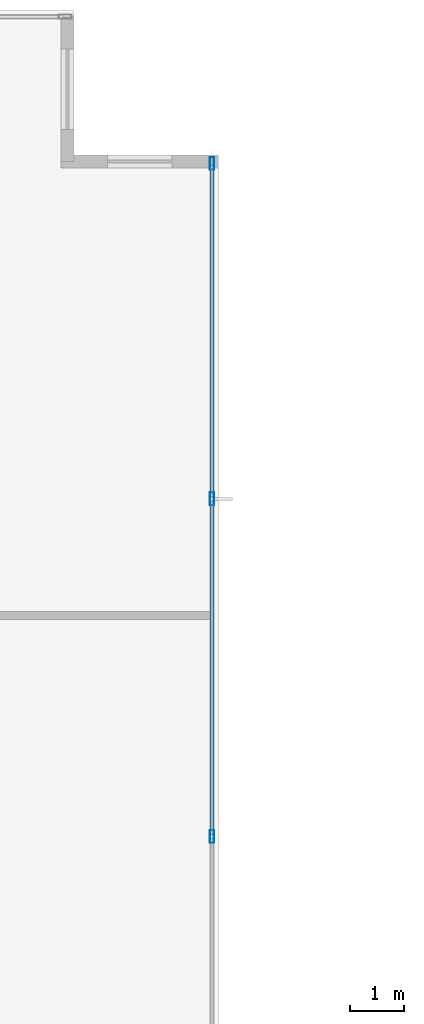
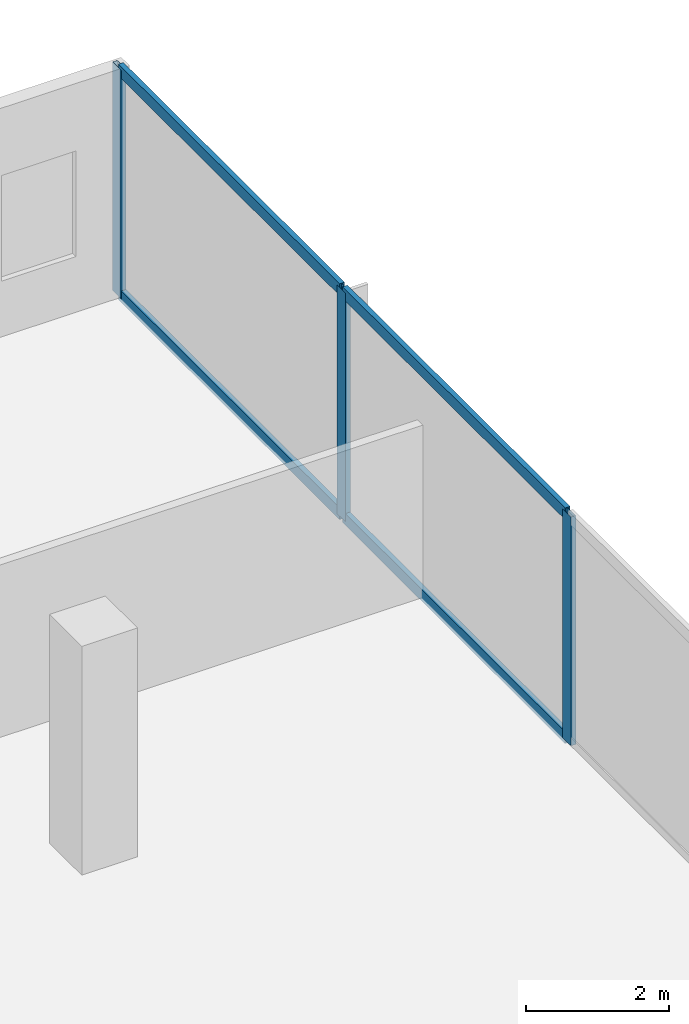
# One storey, part 14 of 31: 7 members, 1 element without a shape of its own.
"""IFC4 building model written with IfcOpenShell, lengths in metres."""

from ifc_helpers import new_model, si_unit, direction, frame, origin, origin_2d, place, context, subcontext, project, spatial, hollow_rectangle, extrude, material, material_profile, profile_set, type_object, element, aggregate, save


model = new_model("IFC4")

# Units and contexts
model_context = context("Model", 3, precision=1e-05, world=origin(), true_north=direction((0.0, 1.0)))
body_context = subcontext(model_context, "Body", "Model", "MODEL_VIEW")
ifc_project = project(units=[si_unit("LENGTHUNIT", "METRE"), si_unit("AREAUNIT", "SQUARE_METRE"), si_unit("VOLUMEUNIT", "CUBIC_METRE"), si_unit("PLANEANGLEUNIT", "RADIAN"), si_unit("MASSUNIT", "GRAM", prefix="KILO")], contexts=[model_context])

# Site, building, storey
site_placement = place(None, origin())
site = spatial("IfcSite", under=ifc_project, at=site_placement, CompositionType="ELEMENT")
building_placement = place(site_placement, origin())
building = spatial("IfcBuilding", under=site, at=building_placement, Name="Cobrela Telecom Tower", CompositionType="ELEMENT")
storey_placement = place(building_placement, frame((0.0, 0.0, 9.449951171875)))
storey = spatial("IfcBuildingStorey", under=building, at=storey_placement, Name="L02", CompositionType="ELEMENT", Elevation=9.449951171875)

# Curtain wall, members
ifc_material = material(Name="Anodized Bronze Aluminium 6063-T6", Category="aluminium")
curtain_wall_type = type_object("IfcCurtainWallType", Name="CW-SYS-CONC", PredefinedType="USERDEFINED", material=ifc_material)
curtain_wall_placement = place(storey_placement, origin())
curtain_wall = element("IfcCurtainWall", 1, at=curtain_wall_placement, inside=storey, type_object=curtain_wall_type, Name="L02 Unitised Bronze Curtain Wall 10", ObjectType="UNITISED CURTAIN WALL", PredefinedType="USERDEFINED")
ifc_material_profile_1 = material_profile(ifc_material, hollow_rectangle(XDim=0.080078125, YDim=0.239990234375, WallThickness=0.0048828125, at=origin_2d()), Name="ALU 80x240x5")
ifc_profile_set_1 = profile_set([ifc_material_profile_1], Name="Anodized Bronze Aluminium 6063-T6")
member_type_1 = type_object("IfcMemberType", Name="CW-SYS-CONC-MUL", PredefinedType="MULLION", material=ifc_profile_set_1)
member_1_placement = place(storey_placement, frame((50.280029296875, 47.5400390625, 0.0), z_axis=(0.0, 0.0, 1.0), x_axis=(1.0, 0.0, 0.0)))
member_1 = element("IfcMember", 2, at=member_1_placement, type_object=member_type_1, Name="CW-CONC mullion 1", PredefinedType="MULLION", context=body_context, shape_type="SweptSolid", body=[
    extrude(hollow_rectangle(XDim=0.080078125, YDim=0.239990234375, WallThickness=0.0048828125, at=origin_2d()), origin(), (0.0, 0.0, 1.0), 3.900146484375),
])
member_2_placement = place(storey_placement, frame((50.280029296875, 41.280029296875, 0.0), z_axis=(0.0, 0.0, 1.0), x_axis=(1.0, 0.0, 0.0)))
member_2 = element("IfcMember", 3, at=member_2_placement, type_object=member_type_1, Name="CW-CONC mullion 2", PredefinedType="MULLION", context=body_context, shape_type="SweptSolid", body=[
    extrude(hollow_rectangle(XDim=0.080078125, YDim=0.239990234375, WallThickness=0.0048828125, at=origin_2d()), origin(), (0.0, 0.0, 1.0), 3.900146484375),
])
member_3_placement = place(storey_placement, frame((50.280029296875, 34.97998046875, 0.0), z_axis=(0.0, 0.0, 1.0), x_axis=(1.0, 0.0, 0.0)))
member_3 = element("IfcMember", 4, at=member_3_placement, type_object=member_type_1, Name="CW-CONC mullion 3", PredefinedType="MULLION", context=body_context, shape_type="SweptSolid", body=[
    extrude(hollow_rectangle(XDim=0.080078125, YDim=0.239990234375, WallThickness=0.0048828125, at=origin_2d()), origin(), (0.0, 0.0, 1.0), 3.900146484375),
])
ifc_material_profile_2 = material_profile(ifc_material, hollow_rectangle(XDim=0.080078125, YDim=0.199951171875, WallThickness=0.00390625, at=origin_2d()), Name="ALU 80x200x4")
ifc_profile_set_2 = profile_set([ifc_material_profile_2], Name="Anodized Bronze Aluminium 6063-T6")
member_type_2 = type_object("IfcMemberType", Name="CW-SYS-CONC-TRN", PredefinedType="USERDEFINED", material=ifc_profile_set_2)
member_4_placement = place(storey_placement, frame((50.280029296875, 47.5, 0.0400390625), z_axis=(0.0, -1.0, 0.0), x_axis=(1.0, 0.0, 0.0)))
member_4 = element("IfcMember", 5, at=member_4_placement, type_object=member_type_2, Name="CW-CONC transom 1.1", ObjectType="TRANSOM", PredefinedType="USERDEFINED", context=body_context, shape_type="SweptSolid", body=[
    extrude(hollow_rectangle(XDim=0.080078125, YDim=0.199951171875, WallThickness=0.00390625, at=origin_2d()), origin(), (0.0, 0.0, 1.0), 6.179931640625),
])
member_5_placement = place(storey_placement, frame((50.280029296875, 47.5, 3.860107421875), z_axis=(0.0, -1.0, 0.0), x_axis=(1.0, 0.0, 0.0)))
member_5 = element("IfcMember", 6, at=member_5_placement, type_object=member_type_2, Name="CW-CONC transom 1.2", ObjectType="TRANSOM", PredefinedType="USERDEFINED", context=body_context, shape_type="SweptSolid", body=[
    extrude(hollow_rectangle(XDim=0.080078125, YDim=0.199951171875, WallThickness=0.00390625, at=origin_2d()), origin(), (0.0, 0.0, 1.0), 6.179931640625),
])
member_6_placement = place(storey_placement, frame((50.280029296875, 41.239990234375, 0.0400390625), z_axis=(0.0, -1.0, 0.0), x_axis=(1.0, 0.0, 0.0)))
member_6 = element("IfcMember", 7, at=member_6_placement, type_object=member_type_2, Name="CW-CONC transom 2.1", ObjectType="TRANSOM", PredefinedType="USERDEFINED", context=body_context, shape_type="SweptSolid", body=[
    extrude(hollow_rectangle(XDim=0.080078125, YDim=0.199951171875, WallThickness=0.00390625, at=origin_2d()), origin(), (0.0, 0.0, 1.0), 6.219970703125),
])
member_7_placement = place(storey_placement, frame((50.280029296875, 41.239990234375, 3.860107421875), z_axis=(0.0, -1.0, 0.0), x_axis=(1.0, 0.0, 0.0)))
member_7 = element("IfcMember", 8, at=member_7_placement, type_object=member_type_2, Name="CW-CONC transom 2.2", ObjectType="TRANSOM", PredefinedType="USERDEFINED", context=body_context, shape_type="SweptSolid", body=[
    extrude(hollow_rectangle(XDim=0.080078125, YDim=0.199951171875, WallThickness=0.00390625, at=origin_2d()), origin(), (0.0, 0.0, 1.0), 6.219970703125),
])
aggregate(curtain_wall, [member_1, member_2, member_3, member_4, member_5, member_6, member_7])

save(model, "model.ifc")
